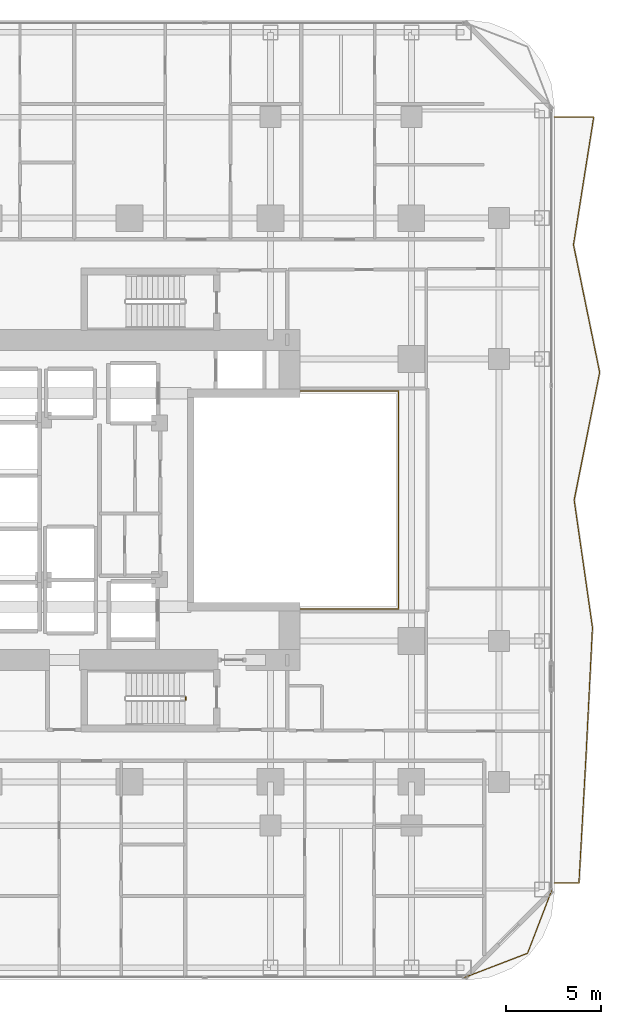
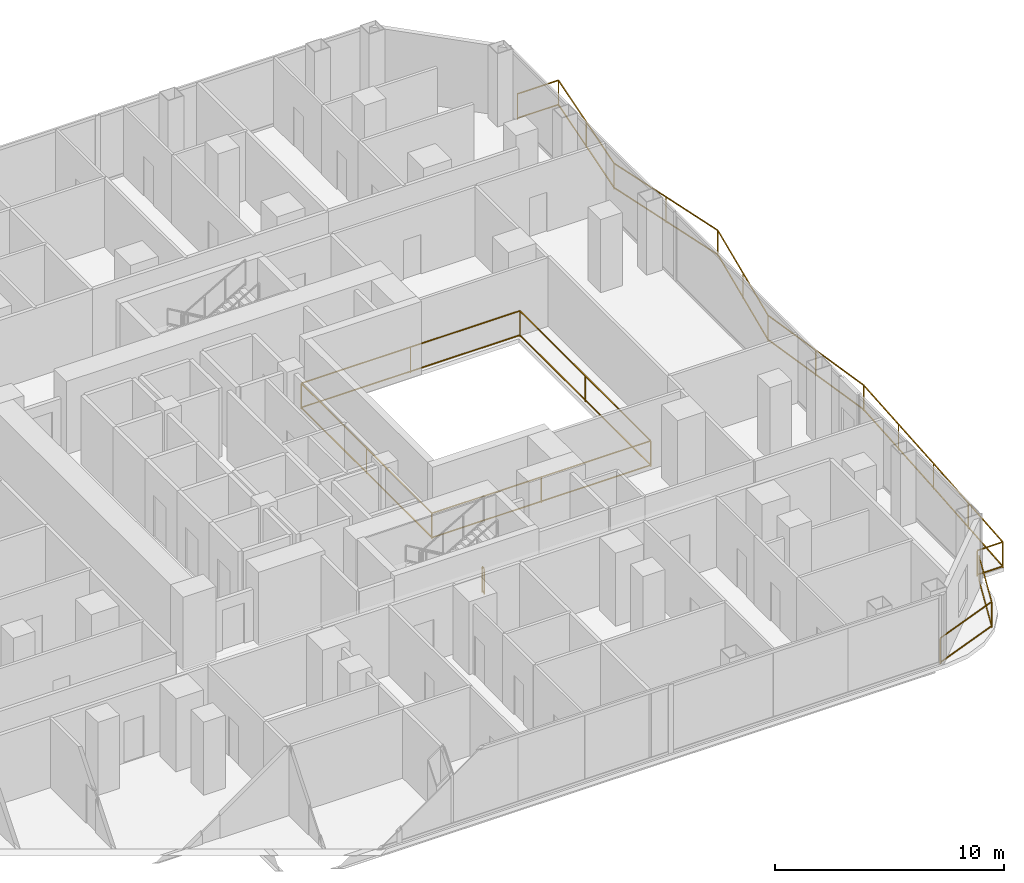
# One storey, part 27 of 29: 4 railings.
"""IFC4 building model written with IfcOpenShell, lengths in metres."""

from ifc_helpers import new_model, si_unit, direction, frame, origin, origin_2d, place, context, subcontext, project, spatial, rectangle, extrude, material, type_object, element, save


model = new_model("IFC4")

# Units and contexts
model_context = context("Model", 3, precision=1e-05, world=origin(), true_north=direction((0.0, 1.0)))
body_context = subcontext(model_context, "Body", "Model", "MODEL_VIEW")
ifc_project = project(units=[si_unit("LENGTHUNIT", "METRE"), si_unit("AREAUNIT", "SQUARE_METRE"), si_unit("VOLUMEUNIT", "CUBIC_METRE"), si_unit("PLANEANGLEUNIT", "RADIAN"), si_unit("MASSUNIT", "GRAM", prefix="KILO")], contexts=[model_context])

# Site, building, storey
site_placement = place(None, origin())
site = spatial("IfcSite", under=ifc_project, at=site_placement, CompositionType="ELEMENT")
building_placement = place(site_placement, origin())
building = spatial("IfcBuilding", under=site, at=building_placement, Name="Khorvyn Point Tower", CompositionType="ELEMENT")
storey_placement = place(building_placement, frame((0.0, 0.0, 69.60009765625)))
storey = spatial("IfcBuildingStorey", under=building, at=storey_placement, Name="L18", CompositionType="ELEMENT", Elevation=69.60009765625)

# Railings
ifc_material_1 = material(Name="Stainless steel 1.4401 and laminated glass", Category="steel")
railing_type_1 = type_object("IfcRailingType", Name="Crystal Atrium Smoke-Rated Perimeter Guardrail 1400", PredefinedType="GUARDRAIL", material=ifc_material_1)
railing_1_placement = place(storey_placement, frame((3.080078125, -5.719970703125, 0.0)))
element("IfcRailing", 1, at=railing_1_placement, inside=storey, type_object=railing_type_1, Name="L18 Crystal Atrium Perimeter Guardrail", PredefinedType="GUARDRAIL", context=body_context, shape_type="SweptSolid", body=[
    extrude(rectangle(XDim=0.048095703125, YDim=0.048095703125, at=origin_2d()), frame((0.0, 0.0, 1.3759765625), z_axis=(1.0, 0.0, 0.0), x_axis=(0.0, 1.0, 0.0)), (0.0, 0.0, 1.0), 11.0400390625),
    extrude(rectangle(XDim=0.048095703125, YDim=0.048095703125, at=origin_2d()), frame((0.0, 0.0, 0.080078125), z_axis=(1.0, 0.0, 0.0), x_axis=(0.0, 1.0, 0.0)), (0.0, 0.0, 1.0), 11.0400390625),
    extrude(rectangle(XDim=0.048095703125, YDim=0.048095703125, at=origin_2d()), frame((11.0400390625, 0.0, 1.3759765625), z_axis=(0.0, 1.0, 0.0), x_axis=(-1.0, 0.0, 0.0)), (0.0, 0.0, 1.0), 11.43994140625),
    extrude(rectangle(XDim=0.048095703125, YDim=0.048095703125, at=origin_2d()), frame((11.0400390625, 0.0, 0.080078125), z_axis=(0.0, 1.0, 0.0), x_axis=(-1.0, 0.0, 0.0)), (0.0, 0.0, 1.0), 11.43994140625),
    extrude(rectangle(XDim=0.048095703125, YDim=0.048095703125, at=origin_2d()), frame((11.0400390625, 11.43994140625, 1.3759765625), z_axis=(-1.0, 0.0, 0.0), x_axis=(0.0, -1.0, 0.0)), (0.0, 0.0, 1.0), 11.0400390625),
    extrude(rectangle(XDim=0.048095703125, YDim=0.048095703125, at=origin_2d()), frame((11.0400390625, 11.43994140625, 0.080078125), z_axis=(-1.0, 0.0, 0.0), x_axis=(0.0, -1.0, 0.0)), (0.0, 0.0, 1.0), 11.0400390625),
    extrude(rectangle(XDim=0.048095703125, YDim=0.048095703125, at=origin_2d()), frame((0.0, 11.43994140625, 1.3759765625), z_axis=(0.0, -1.0, 0.0), x_axis=(1.0, 0.0, 0.0)), (0.0, 0.0, 1.0), 11.409912109375),
    extrude(rectangle(XDim=0.048095703125, YDim=0.048095703125, at=origin_2d()), frame((0.0, 11.43994140625, 0.080078125), z_axis=(0.0, -1.0, 0.0), x_axis=(1.0, 0.0, 0.0)), (0.0, 0.0, 1.0), 11.409912109375),
    extrude(rectangle(XDim=0.0419921875, YDim=0.0419921875, at=origin_2d()), origin(), (0.0, 0.0, 1.0), 1.351806640625),
    extrude(rectangle(XDim=0.0419921875, YDim=0.0419921875, at=origin_2d()), frame((5.52001953125, 0.0, 0.0)), (0.0, 0.0, 1.0), 1.351806640625),
    extrude(rectangle(XDim=0.0419921875, YDim=0.0419921875, at=origin_2d()), frame((11.0400390625, 0.0, 0.0)), (0.0, 0.0, 1.0), 1.351806640625),
    extrude(rectangle(XDim=0.0419921875, YDim=0.0419921875, at=origin_2d()), frame((11.0400390625, 5.719970703125, 0.0)), (0.0, 0.0, 1.0), 1.351806640625),
    extrude(rectangle(XDim=0.0419921875, YDim=0.0419921875, at=origin_2d()), frame((11.0400390625, 11.43994140625, 0.0)), (0.0, 0.0, 1.0), 1.351806640625),
    extrude(rectangle(XDim=0.0419921875, YDim=0.0419921875, at=origin_2d()), frame((5.52001953125, 11.43994140625, 0.0)), (0.0, 0.0, 1.0), 1.351806640625),
    extrude(rectangle(XDim=0.0419921875, YDim=0.0419921875, at=origin_2d()), frame((0.0, 11.43994140625, 0.0)), (0.0, 0.0, 1.0), 1.351806640625),
    extrude(rectangle(XDim=0.0419921875, YDim=0.0419921875, at=origin_2d()), frame((0.0, 5.73486328125, 0.0)), (0.0, 0.0, 1.0), 1.351806640625),
    extrude(rectangle(XDim=0.0419921875, YDim=0.0419921875, at=origin_2d()), frame((0.0, 0.030029296875, 0.0)), (0.0, 0.0, 1.0), 1.351806640625),
])
ifc_material_2 = material(Name="Anodised aluminium 6063-T6 and laminated safety glass", Category="aluminium")
railing_type_2 = type_object("IfcRailingType", Name="Laminated Glass and Aluminium Balcony Guardrail 1400", PredefinedType="BALUSTRADE", material=ifc_material_2)
railing_2_placement = place(storey_placement, frame((17.57080078125, -25.073974609375, 0.0)))
element("IfcRailing", 2, at=railing_2_placement, inside=storey, type_object=railing_type_2, Name="L18 Rounded Corner Edge Guardrail SE", PredefinedType="BALUSTRADE", context=body_context, shape_type="SweptSolid", body=[
    extrude(rectangle(XDim=0.048095703125, YDim=0.048095703125, at=origin_2d()), frame((0.0, 0.0, 1.3759765625), z_axis=(0.933583807283, 0.358359142172, 0.0), x_axis=(-0.358359142172, 0.933583807283, 0.0)), (0.0, 0.0, 1.0), 3.56298828125),
    extrude(rectangle(XDim=0.048095703125, YDim=0.048095703125, at=origin_2d()), frame((0.0, 0.0, 0.080078125), z_axis=(0.933583807283, 0.358359142172, 0.0), x_axis=(-0.358359142172, 0.933583807283, 0.0)), (0.0, 0.0, 1.0), 3.56298828125),
    extrude(rectangle(XDim=0.048095703125, YDim=0.048095703125, at=origin_2d()), frame((3.326416015625, 1.27685546875, 1.3759765625), z_axis=(0.358359142172, 0.933583807283, 0.0), x_axis=(-0.933583807283, 0.358359142172, 0.0)), (0.0, 0.0, 1.0), 3.56298828125),
    extrude(rectangle(XDim=0.048095703125, YDim=0.048095703125, at=origin_2d()), frame((3.326416015625, 1.27685546875, 0.080078125), z_axis=(0.358359142172, 0.933583807283, 0.0), x_axis=(-0.933583807283, 0.358359142172, 0.0)), (0.0, 0.0, 1.0), 3.56298828125),
    extrude(rectangle(XDim=0.0419921875, YDim=0.0419921875, at=origin_2d()), origin(), (0.0, 0.0, 1.0), 1.351806640625),
    extrude(rectangle(XDim=0.0419921875, YDim=0.0419921875, at=origin_2d()), frame((3.326416015625, 1.27685546875, 0.0)), (0.0, 0.0, 1.0), 1.351806640625),
    extrude(rectangle(XDim=0.0419921875, YDim=0.0419921875, at=origin_2d()), frame((4.603271484375, 4.603271484375, 0.0)), (0.0, 0.0, 1.0), 1.351806640625),
])
railing_3_placement = place(storey_placement, frame((22.300048828125, -20.10009765625, 0.0)))
element("IfcRailing", 3, at=railing_3_placement, inside=storey, type_object=railing_type_2, Name="L18 East Balcony Guardrail", PredefinedType="BALUSTRADE", context=body_context, shape_type="SweptSolid", body=[
    extrude(rectangle(XDim=0.048095703125, YDim=0.048095703125, at=origin_2d()), frame((0.0, 0.0, 1.3759765625), z_axis=(1.0, 0.0, 0.0), x_axis=(0.0, 1.0, 0.0)), (0.0, 0.0, 1.0), 1.294921875),
    extrude(rectangle(XDim=0.048095703125, YDim=0.048095703125, at=origin_2d()), frame((0.0, 0.0, 0.080078125), z_axis=(1.0, 0.0, 0.0), x_axis=(0.0, 1.0, 0.0)), (0.0, 0.0, 1.0), 1.294921875),
    extrude(rectangle(XDim=0.048095703125, YDim=0.048095703125, at=origin_2d()), frame((1.294921875, 0.0, 1.3759765625), z_axis=(0.055445839712, 0.99846169624, 0.0), x_axis=(-0.99846169624, 0.055445839713, 0.0)), (0.0, 0.0, 1.0), 6.71044921875),
    extrude(rectangle(XDim=0.048095703125, YDim=0.048095703125, at=origin_2d()), frame((1.294921875, 0.0, 0.080078125), z_axis=(0.055445839712, 0.99846169624, 0.0), x_axis=(-0.99846169624, 0.055445839713, 0.0)), (0.0, 0.0, 1.0), 6.71044921875),
    extrude(rectangle(XDim=0.048095703125, YDim=0.048095703125, at=origin_2d()), frame((1.6669921875, 6.7001953125, 1.3759765625), z_axis=(0.050149985773, 0.998741697801, 0.0), x_axis=(-0.998741697801, 0.050149985773, 0.0)), (0.0, 0.0, 1.0), 6.70849609375),
    extrude(rectangle(XDim=0.048095703125, YDim=0.048095703125, at=origin_2d()), frame((1.6669921875, 6.7001953125, 0.080078125), z_axis=(0.050149985773, 0.998741697801, 0.0), x_axis=(-0.998741697801, 0.050149985773, 0.0)), (0.0, 0.0, 1.0), 6.70849609375),
    extrude(rectangle(XDim=0.048095703125, YDim=0.048095703125, at=origin_2d()), frame((2.00341796875, 13.400146484375, 1.3759765625), z_axis=(-0.141724348985, 0.989906161666, 0.0), x_axis=(-0.989906161666, -0.141724348985, 0.0)), (0.0, 0.0, 1.0), 6.768310546875),
    extrude(rectangle(XDim=0.048095703125, YDim=0.048095703125, at=origin_2d()), frame((2.00341796875, 13.400146484375, 0.080078125), z_axis=(-0.141724348985, 0.989906161666, 0.0), x_axis=(-0.989906161666, -0.141724348985, 0.0)), (0.0, 0.0, 1.0), 6.768310546875),
    extrude(rectangle(XDim=0.048095703125, YDim=0.048095703125, at=origin_2d()), frame((1.044189453125, 20.10009765625, 1.3759765625), z_axis=(0.195717542461, 0.980660309981, 0.0), x_axis=(-0.980660309981, 0.195717542461, 0.0)), (0.0, 0.0, 1.0), 6.83203125),
    extrude(rectangle(XDim=0.048095703125, YDim=0.048095703125, at=origin_2d()), frame((1.044189453125, 20.10009765625, 0.080078125), z_axis=(0.195717542461, 0.980660309981, 0.0), x_axis=(-0.980660309981, 0.195717542461, 0.0)), (0.0, 0.0, 1.0), 6.83203125),
    extrude(rectangle(XDim=0.048095703125, YDim=0.048095703125, at=origin_2d()), frame((2.38134765625, 26.800048828125, 1.3759765625), z_axis=(-0.200898470326, 0.979612068434, 0.0), x_axis=(-0.979612068434, -0.200898470326, 0.0)), (0.0, 0.0, 1.0), 6.83935546875),
    extrude(rectangle(XDim=0.048095703125, YDim=0.048095703125, at=origin_2d()), frame((2.38134765625, 26.800048828125, 0.080078125), z_axis=(-0.200898470326, 0.979612068434, 0.0), x_axis=(-0.979612068434, -0.200898470326, 0.0)), (0.0, 0.0, 1.0), 6.83935546875),
    extrude(rectangle(XDim=0.048095703125, YDim=0.048095703125, at=origin_2d()), frame((1.00732421875, 33.5, 1.3759765625), z_axis=(0.156374689128, 0.987697806315, 0.0), x_axis=(-0.987697806315, 0.156374689128, 0.0)), (0.0, 0.0, 1.0), 6.78369140625),
    extrude(rectangle(XDim=0.048095703125, YDim=0.048095703125, at=origin_2d()), frame((1.00732421875, 33.5, 0.080078125), z_axis=(0.156374689128, 0.987697806315, 0.0), x_axis=(-0.987697806315, 0.156374689128, 0.0)), (0.0, 0.0, 1.0), 6.78369140625),
    extrude(rectangle(XDim=0.048095703125, YDim=0.048095703125, at=origin_2d()), frame((2.068115234375, 40.2001953125, 1.3759765625), z_axis=(-1.0, 0.0, 0.0), x_axis=(0.0, -1.0, 0.0)), (0.0, 0.0, 1.0), 2.068115234375),
    extrude(rectangle(XDim=0.048095703125, YDim=0.048095703125, at=origin_2d()), frame((2.068115234375, 40.2001953125, 0.080078125), z_axis=(-1.0, 0.0, 0.0), x_axis=(0.0, -1.0, 0.0)), (0.0, 0.0, 1.0), 2.068115234375),
    extrude(rectangle(XDim=0.0419921875, YDim=0.0419921875, at=origin_2d()), origin(), (0.0, 0.0, 1.0), 1.351806640625),
    extrude(rectangle(XDim=0.0419921875, YDim=0.0419921875, at=origin_2d()), frame((1.294921875, 0.0, 0.0)), (0.0, 0.0, 1.0), 1.351806640625),
    extrude(rectangle(XDim=0.0419921875, YDim=0.0419921875, at=origin_2d()), frame((1.48095703125, 3.35009765625, 0.0)), (0.0, 0.0, 1.0), 1.351806640625),
    extrude(rectangle(XDim=0.0419921875, YDim=0.0419921875, at=origin_2d()), frame((1.6669921875, 6.7001953125, 0.0)), (0.0, 0.0, 1.0), 1.351806640625),
    extrude(rectangle(XDim=0.0419921875, YDim=0.0419921875, at=origin_2d()), frame((1.835205078125, 10.05029296875, 0.0)), (0.0, 0.0, 1.0), 1.351806640625),
    extrude(rectangle(XDim=0.0419921875, YDim=0.0419921875, at=origin_2d()), frame((2.00341796875, 13.400146484375, 0.0)), (0.0, 0.0, 1.0), 1.351806640625),
    extrude(rectangle(XDim=0.0419921875, YDim=0.0419921875, at=origin_2d()), frame((1.52392578125, 16.75, 0.0)), (0.0, 0.0, 1.0), 1.351806640625),
    extrude(rectangle(XDim=0.0419921875, YDim=0.0419921875, at=origin_2d()), frame((1.044189453125, 20.10009765625, 0.0)), (0.0, 0.0, 1.0), 1.351806640625),
    extrude(rectangle(XDim=0.0419921875, YDim=0.0419921875, at=origin_2d()), frame((1.712890625, 23.4501953125, 0.0)), (0.0, 0.0, 1.0), 1.351806640625),
    extrude(rectangle(XDim=0.0419921875, YDim=0.0419921875, at=origin_2d()), frame((2.38134765625, 26.800048828125, 0.0)), (0.0, 0.0, 1.0), 1.351806640625),
    extrude(rectangle(XDim=0.0419921875, YDim=0.0419921875, at=origin_2d()), frame((1.6943359375, 30.14990234375, 0.0)), (0.0, 0.0, 1.0), 1.351806640625),
    extrude(rectangle(XDim=0.0419921875, YDim=0.0419921875, at=origin_2d()), frame((1.00732421875, 33.5, 0.0)), (0.0, 0.0, 1.0), 1.351806640625),
    extrude(rectangle(XDim=0.0419921875, YDim=0.0419921875, at=origin_2d()), frame((1.53759765625, 36.85009765625, 0.0)), (0.0, 0.0, 1.0), 1.351806640625),
    extrude(rectangle(XDim=0.0419921875, YDim=0.0419921875, at=origin_2d()), frame((2.068115234375, 40.2001953125, 0.0)), (0.0, 0.0, 1.0), 1.351806640625),
    extrude(rectangle(XDim=0.0419921875, YDim=0.0419921875, at=origin_2d()), frame((0.0, 40.2001953125, 0.0)), (0.0, 0.0, 1.0), 1.351806640625),
])
ifc_material_3 = material(Name="Stainless steel 1.4301", Category="steel")
railing_type_3 = type_object("IfcRailingType", Name="Stainless Steel 304 Stair Well Guardrail 1400", PredefinedType="GUARDRAIL", material=ifc_material_3)
railing_4_placement = place(storey_placement, frame((2.949951171875, -10.340087890625, 0.0)))
element("IfcRailing", 4, at=railing_4_placement, inside=storey, type_object=railing_type_3, Name="L18 ST-01 stair guard 4", PredefinedType="GUARDRAIL", context=body_context, shape_type="SweptSolid", body=[
    extrude(rectangle(XDim=0.048095703125, YDim=0.048095703125, at=origin_2d()), frame((0.0, 0.0, 1.3759765625), z_axis=(0.0, -1.0, 0.0), x_axis=(1.0, 0.0, 0.0)), (0.0, 0.0, 1.0), 0.159912109375),
    extrude(rectangle(XDim=0.048095703125, YDim=0.048095703125, at=origin_2d()), frame((0.0, 0.0, 0.080078125), z_axis=(0.0, -1.0, 0.0), x_axis=(1.0, 0.0, 0.0)), (0.0, 0.0, 1.0), 0.159912109375),
    extrude(rectangle(XDim=0.0419921875, YDim=0.0419921875, at=origin_2d()), origin(), (0.0, 0.0, 1.0), 1.351806640625),
    extrude(rectangle(XDim=0.0419921875, YDim=0.0419921875, at=origin_2d()), frame((0.0, -0.159912109375, 0.0)), (0.0, 0.0, 1.0), 1.351806640625),
])

save(model, "model.ifc")
